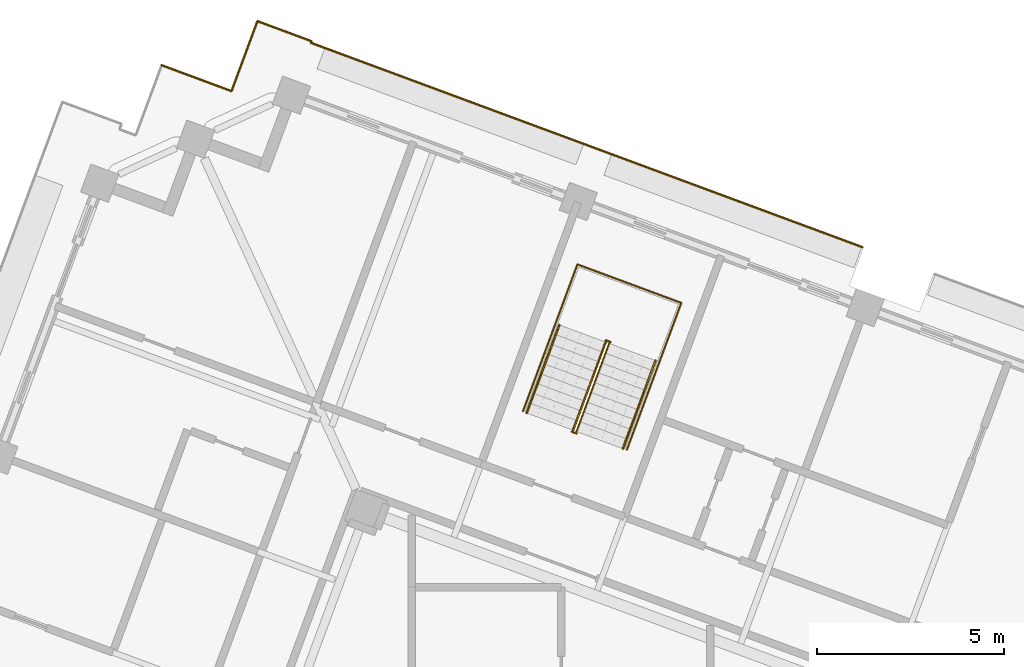
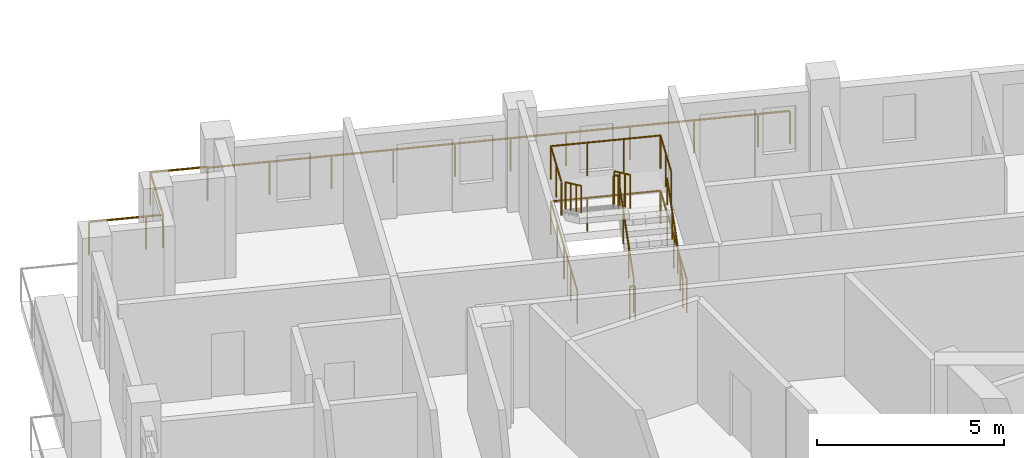
# One storey, part 17 of 19: 8 railings.
"""IFC4 building model written with IfcOpenShell, lengths in metres."""

from ifc_helpers import new_model, si_unit, direction, frame, origin, origin_2d, place, context, subcontext, project, spatial, circle, extrude, material, type_object, element, save


model = new_model("IFC4")

# Units and contexts
model_context = context("Model", 3, precision=1e-05, world=origin(), true_north=direction((0.0, 1.0)))
body_context = subcontext(model_context, "Body", "Model", "MODEL_VIEW")
ifc_project = project(units=[si_unit("LENGTHUNIT", "METRE"), si_unit("AREAUNIT", "SQUARE_METRE"), si_unit("VOLUMEUNIT", "CUBIC_METRE"), si_unit("PLANEANGLEUNIT", "RADIAN"), si_unit("MASSUNIT", "GRAM", prefix="KILO")], contexts=[model_context])

# Site, building, storey
site_placement = place(None, origin())
site = spatial("IfcSite", under=ifc_project, at=site_placement, CompositionType="ELEMENT")
building_placement = place(site_placement, origin())
building = spatial("IfcBuilding", under=site, at=building_placement, Name="Cantera Rosa Tower", CompositionType="ELEMENT")
storey_placement = place(building_placement, frame((0.0, 0.0, 331.300048828125)))
storey = spatial("IfcBuildingStorey", under=building, at=storey_placement, Name="L74", CompositionType="ELEMENT", Elevation=331.300048828125)

# Railings
ifc_material_1 = material(Name="Stainless steel and laminated glass", Category="steel")
railing_type_1 = type_object("IfcRailingType", Name="GUARD 1100", PredefinedType="BALUSTRADE", material=ifc_material_1)
railing_1_placement = place(storey_placement, frame((-10.71240234375, 28.49365234375, 0.0)))
element("IfcRailing", 1, at=railing_1_placement, inside=storey, type_object=railing_type_1, Name="GUARD L74-5", PredefinedType="BALUSTRADE", context=body_context, shape_type="SweptSolid", body=[
    extrude(circle(Radius=0.030029296875, at=origin_2d()), frame((0.0, 0.0, 1.070068359375), z_axis=(0.937691592306, -0.347468671564, 0.0), x_axis=(0.347468671564, 0.937691592306, 0.0)), (0.0, 0.0, 1.0), 1.5458984375),
    extrude(circle(Radius=0.030029296875, at=origin_2d()), frame((1.449462890625, -0.537109375, 1.070068359375), z_axis=(0.937625552155, -0.347646837962, 0.0), x_axis=(0.347646837962, 0.937625552155, 0.0)), (0.0, 0.0, 1.0), 0.454345703125),
    extrude(circle(Radius=0.030029296875, at=origin_2d()), frame((1.87548828125, -0.695068359375, 1.070068359375), z_axis=(0.347401818267, 0.937716362588, 0.0), x_axis=(-0.937716362588, 0.347401818267, 0.0)), (0.0, 0.0, 1.0), 2.0),
    extrude(circle(Radius=0.030029296875, at=origin_2d()), frame((2.5703125, 1.180419921875, 1.070068359375), z_axis=(0.937710656911, -0.347417218795, 0.0), x_axis=(0.347417218795, 0.937710656911, 0.0)), (0.0, 0.0, 1.0), 1.5458984375),
    extrude(circle(Radius=0.030029296875, at=origin_2d()), frame((4.02001953125, 0.643310546875, 1.070068359375), z_axis=(-0.351123441588, -0.936329177569, 0.0), x_axis=(0.936329177569, -0.351123441588, 0.0)), (0.0, 0.0, 1.0), 0.0458984375),
    extrude(circle(Radius=0.030029296875, at=origin_2d()), frame((4.00390625, 0.600341796875, 1.070068359375), z_axis=(0.937686328856, -0.347482875373, 0.0), x_axis=(0.347482875373, 0.937686328856, 0.0)), (0.0, 0.0, 1.0), 6.699951171875),
    extrude(circle(Radius=0.030029296875, at=origin_2d()), frame((10.286376953125, -1.727783203125, 1.070068359375), z_axis=(0.93768985062, -0.347473371704, 0.0), x_axis=(0.347473371704, 0.93768985062, 0.0)), (0.0, 0.0, 1.0), 3.000244140625),
    extrude(circle(Radius=0.030029296875, at=origin_2d()), frame((13.099609375, -2.770263671875, 1.070068359375), z_axis=(0.937688147358, -0.347477968085, 0.0), x_axis=(0.347477968085, 0.937688147358, 0.0)), (0.0, 0.0, 1.0), 5.199951171875),
    extrude(circle(Radius=0.030029296875, at=origin_2d()), frame((17.9755859375, -4.5771484375, 1.070068359375), z_axis=(0.937694580373, -0.347460607753, 0.0), x_axis=(0.347460607753, 0.937694580373, 0.0)), (0.0, 0.0, 1.0), 0.869873046875),
    extrude(circle(Radius=0.02490234375, at=origin_2d()), origin(), (0.0, 0.0, 1.0), 1.0400390625),
    extrude(circle(Radius=0.02490234375, at=origin_2d()), frame((1.449462890625, -0.537109375, 0.0)), (0.0, 0.0, 1.0), 1.0400390625),
    extrude(circle(Radius=0.02490234375, at=origin_2d()), frame((1.87548828125, -0.695068359375, 0.0)), (0.0, 0.0, 1.0), 1.0400390625),
    extrude(circle(Radius=0.02490234375, at=origin_2d()), frame((2.5703125, 1.180419921875, 0.0)), (0.0, 0.0, 1.0), 1.0400390625),
    extrude(circle(Radius=0.02490234375, at=origin_2d()), frame((4.02001953125, 0.643310546875, 0.0)), (0.0, 0.0, 1.0), 1.0400390625),
    extrude(circle(Radius=0.02490234375, at=origin_2d()), frame((4.00390625, 0.600341796875, 0.0)), (0.0, 0.0, 1.0), 1.0400390625),
    extrude(circle(Radius=0.02490234375, at=origin_2d()), frame((5.574462890625, 0.018310546875, 0.0)), (0.0, 0.0, 1.0), 1.0400390625),
    extrude(circle(Radius=0.02490234375, at=origin_2d()), frame((7.14501953125, -0.563720703125, 0.0)), (0.0, 0.0, 1.0), 1.0400390625),
    extrude(circle(Radius=0.02490234375, at=origin_2d()), frame((8.7158203125, -1.145751953125, 0.0)), (0.0, 0.0, 1.0), 1.0400390625),
    extrude(circle(Radius=0.02490234375, at=origin_2d()), frame((10.286376953125, -1.727783203125, 0.0)), (0.0, 0.0, 1.0), 1.0400390625),
    extrude(circle(Radius=0.02490234375, at=origin_2d()), frame((11.69287109375, -2.2490234375, 0.0)), (0.0, 0.0, 1.0), 1.0400390625),
    extrude(circle(Radius=0.02490234375, at=origin_2d()), frame((13.099609375, -2.770263671875, 0.0)), (0.0, 0.0, 1.0), 1.0400390625),
    extrude(circle(Radius=0.02490234375, at=origin_2d()), frame((14.724853515625, -3.37255859375, 0.0)), (0.0, 0.0, 1.0), 1.0400390625),
    extrude(circle(Radius=0.02490234375, at=origin_2d()), frame((16.350341796875, -3.974853515625, 0.0)), (0.0, 0.0, 1.0), 1.0400390625),
    extrude(circle(Radius=0.02490234375, at=origin_2d()), frame((17.9755859375, -4.5771484375, 0.0)), (0.0, 0.0, 1.0), 1.0400390625),
    extrude(circle(Radius=0.02490234375, at=origin_2d()), frame((18.791259765625, -4.87939453125, 0.0)), (0.0, 0.0, 1.0), 1.0400390625),
])
ifc_material_2 = material(Name="Steel S355J2 (EN 10025-2)", Category="steel")
railing_type_2 = type_object("IfcRailingType", Name="STAIR GUARD 1100", PredefinedType="GUARDRAIL", material=ifc_material_2)
railing_2_placement = place(storey_placement, frame((0.412109375, 18.670166015625, 0.179931640625)))
element("IfcRailing", 2, at=railing_2_placement, inside=storey, type_object=railing_type_2, Name="L74 ST-62 stair guard 1", PredefinedType="GUARDRAIL", context=body_context, shape_type="SweptSolid", body=[
    extrude(circle(Radius=0.02392578125, at=origin_2d()), frame((0.0, 0.0, 1.076171875), z_axis=(0.292306804437, 0.788747577403, 0.540771662738), x_axis=(-0.937679794265, 0.347500508527, 0.0)), (0.0, 0.0, 1.0), 2.995849609375),
    extrude(circle(Radius=0.02392578125, at=origin_2d()), frame((0.875732421875, 2.363037109375, 2.6962890625), z_axis=(0.740919573429, 0.671593765389, 0.0), x_axis=(-0.671593765389, 0.740919573429, 0.0)), (0.0, 0.0, 1.0), 0.056396484375),
    extrude(circle(Radius=0.02392578125, at=origin_2d()), frame((0.91748046875, 2.40087890625, 2.6962890625), z_axis=(-0.937925419525, 0.346837004095, 0.0), x_axis=(-0.346837004095, -0.937925419525, 0.0)), (0.0, 0.0, 1.0), 0.14990234375),
    extrude(circle(Radius=0.02099609375, at=origin_2d()), origin(), (0.0, 0.0, 1.0), 1.052001953125),
    extrude(circle(Radius=0.02099609375, at=origin_2d()), frame((0.2919921875, 0.78759765625, 0.5400390625)), (0.0, 0.0, 1.0), 1.052001953125),
    extrude(circle(Radius=0.02099609375, at=origin_2d()), frame((0.583740234375, 1.575439453125, 1.080078125)), (0.0, 0.0, 1.0), 1.052001953125),
    extrude(circle(Radius=0.02099609375, at=origin_2d()), frame((0.875732421875, 2.363037109375, 1.6201171875)), (0.0, 0.0, 1.0), 1.052001953125),
    extrude(circle(Radius=0.02099609375, at=origin_2d()), frame((0.91748046875, 2.40087890625, 1.6201171875)), (0.0, 0.0, 1.0), 1.052001953125),
    extrude(circle(Radius=0.02099609375, at=origin_2d()), frame((0.77685546875, 2.452880859375, 1.6201171875)), (0.0, 0.0, 1.0), 1.052001953125),
])
railing_3_placement = place(storey_placement, frame((1.196044921875, 21.067138671875, 1.97998046875)))
element("IfcRailing", 3, at=railing_3_placement, inside=storey, type_object=railing_type_2, Name="L74 ST-62 stair guard 2", PredefinedType="GUARDRAIL", context=body_context, shape_type="SweptSolid", body=[
    extrude(circle(Radius=0.02392578125, at=origin_2d()), frame((0.0, 0.0, 1.076171875), z_axis=(-0.292319685639, -0.78878233546, 0.540713998944), x_axis=(0.937679794265, -0.347500508527, 0.0)), (0.0, 0.0, 1.0), 2.995849609375),
    extrude(circle(Radius=0.02099609375, at=origin_2d()), origin(), (0.0, 0.0, 1.0), 1.052001953125),
    extrude(circle(Radius=0.02099609375, at=origin_2d()), frame((-0.2919921875, -0.78759765625, 0.5400390625)), (0.0, 0.0, 1.0), 1.052001953125),
    extrude(circle(Radius=0.02099609375, at=origin_2d()), frame((-0.583740234375, -1.575439453125, 1.079833984375)), (0.0, 0.0, 1.0), 1.052001953125),
    extrude(circle(Radius=0.02099609375, at=origin_2d()), frame((-0.875732421875, -2.363037109375, 1.619873046875)), (0.0, 0.0, 1.0), 1.052001953125),
])
railing_4_placement = place(storey_placement, frame((0.419189453125, 18.6142578125, 0.0)))
element("IfcRailing", 4, at=railing_4_placement, inside=storey, type_object=railing_type_2, Name="L74 ST-62 stair guard 3", PredefinedType="GUARDRAIL", context=body_context, shape_type="SweptSolid", body=[
    extrude(circle(Radius=0.02392578125, at=origin_2d()), frame((0.0, 0.0, 1.076171875), z_axis=(-0.937925419525, 0.346837004095, 0.0), x_axis=(-0.346837004095, -0.937925419525, 0.0)), (0.0, 0.0, 1.0), 0.14990234375),
    extrude(circle(Radius=0.02099609375, at=origin_2d()), origin(), (0.0, 0.0, 1.0), 1.052001953125),
    extrude(circle(Radius=0.02099609375, at=origin_2d()), frame((-0.140625, 0.052001953125, 0.0)), (0.0, 0.0, 1.0), 1.052001953125),
])
railing_5_placement = place(storey_placement, frame((1.762939453125, 18.182373046875, 0.0)))
element("IfcRailing", 5, at=railing_5_placement, inside=storey, type_object=railing_type_2, Name="L74 ST-62 stair guard 4", PredefinedType="GUARDRAIL", context=body_context, shape_type="SweptSolid", body=[
    extrude(circle(Radius=0.02392578125, at=origin_2d()), frame((0.0, 0.0, 1.076171875), z_axis=(0.347475346394, 0.937689118871, 0.0), x_axis=(-0.937689118871, 0.347475346394, 0.0)), (0.0, 0.0, 1.0), 4.197998046875),
    extrude(circle(Radius=0.02392578125, at=origin_2d()), frame((1.458740234375, 3.9365234375, 1.076171875), z_axis=(-0.937690243436, 0.347472311651, 0.0), x_axis=(-0.347472311651, -0.937690243436, 0.0)), (0.0, 0.0, 1.0), 2.969970703125),
    extrude(circle(Radius=0.02392578125, at=origin_2d()), frame((-1.326171875, 4.968505859375, 1.076171875), z_axis=(-0.347475346394, -0.937689118871, 0.0), x_axis=(0.937689118871, -0.347475346394, 0.0)), (0.0, 0.0, 1.0), 4.197998046875),
    extrude(circle(Radius=0.02099609375, at=origin_2d()), origin(), (0.0, 0.0, 1.0), 1.052001953125),
    extrude(circle(Radius=0.02099609375, at=origin_2d()), frame((0.36474609375, 0.984130859375, 0.0)), (0.0, 0.0, 1.0), 1.052001953125),
    extrude(circle(Radius=0.02099609375, at=origin_2d()), frame((0.7294921875, 1.96826171875, 0.0)), (0.0, 0.0, 1.0), 1.052001953125),
    extrude(circle(Radius=0.02099609375, at=origin_2d()), frame((1.093994140625, 2.952392578125, 0.0)), (0.0, 0.0, 1.0), 1.052001953125),
    extrude(circle(Radius=0.02099609375, at=origin_2d()), frame((1.458740234375, 3.9365234375, 0.0)), (0.0, 0.0, 1.0), 1.052001953125),
    extrude(circle(Radius=0.02099609375, at=origin_2d()), frame((0.530517578125, 4.280517578125, 0.0)), (0.0, 0.0, 1.0), 1.052001953125),
    extrude(circle(Radius=0.02099609375, at=origin_2d()), frame((-0.39794921875, 4.62451171875, 0.0)), (0.0, 0.0, 1.0), 1.052001953125),
    extrude(circle(Radius=0.02099609375, at=origin_2d()), frame((-1.326171875, 4.968505859375, 0.0)), (0.0, 0.0, 1.0), 1.052001953125),
    extrude(circle(Radius=0.02099609375, at=origin_2d()), frame((-1.69091796875, 3.984375, 0.0)), (0.0, 0.0, 1.0), 1.052001953125),
    extrude(circle(Radius=0.02099609375, at=origin_2d()), frame((-2.0556640625, 3.000244140625, 0.0)), (0.0, 0.0, 1.0), 1.052001953125),
    extrude(circle(Radius=0.02099609375, at=origin_2d()), frame((-2.420166015625, 2.01611328125, 0.0)), (0.0, 0.0, 1.0), 1.052001953125),
    extrude(circle(Radius=0.02099609375, at=origin_2d()), frame((-2.784912109375, 1.031982421875, 0.0)), (0.0, 0.0, 1.0), 1.052001953125),
])
railing_6_placement = place(storey_placement, frame((2.630126953125, 20.52294921875, 1.800048828125)))
element("IfcRailing", 6, at=railing_6_placement, inside=storey, type_object=railing_type_2, Name="L74 ST-62 stair guard 5", PredefinedType="GUARDRAIL", context=body_context, shape_type="SweptSolid", body=[
    extrude(circle(Radius=0.02392578125, at=origin_2d()), frame((0.0, 0.0, 1.076171875), z_axis=(0.347552602091, 0.937660486946, 0.0), x_axis=(-0.937660486946, 0.347552602091, 0.0)), (0.0, 0.0, 1.0), 1.7021484375),
    extrude(circle(Radius=0.02392578125, at=origin_2d()), frame((0.591552734375, 1.595947265625, 1.076171875), z_axis=(-0.937690243436, 0.347472311651, 0.0), x_axis=(-0.347472311651, -0.937690243436, 0.0)), (0.0, 0.0, 1.0), 2.969970703125),
    extrude(circle(Radius=0.02392578125, at=origin_2d()), frame((-2.193359375, 2.6279296875, 1.076171875), z_axis=(-0.347552602091, -0.937660486946, 0.0), x_axis=(0.937660486946, -0.347552602091, 0.0)), (0.0, 0.0, 1.0), 1.7021484375),
    extrude(circle(Radius=0.02099609375, at=origin_2d()), origin(), (0.0, 0.0, 1.0), 1.052001953125),
    extrude(circle(Radius=0.02099609375, at=origin_2d()), frame((0.2958984375, 0.7978515625, 0.0)), (0.0, 0.0, 1.0), 1.052001953125),
    extrude(circle(Radius=0.02099609375, at=origin_2d()), frame((0.591552734375, 1.595947265625, 0.0)), (0.0, 0.0, 1.0), 1.052001953125),
    extrude(circle(Radius=0.02099609375, at=origin_2d()), frame((-0.336669921875, 1.93994140625, 0.0)), (0.0, 0.0, 1.0), 1.052001953125),
    extrude(circle(Radius=0.02099609375, at=origin_2d()), frame((-1.26513671875, 2.283935546875, 0.0)), (0.0, 0.0, 1.0), 1.052001953125),
    extrude(circle(Radius=0.02099609375, at=origin_2d()), frame((-2.193359375, 2.6279296875, 0.0)), (0.0, 0.0, 1.0), 1.052001953125),
    extrude(circle(Radius=0.02099609375, at=origin_2d()), frame((-2.4892578125, 1.830078125, 0.0)), (0.0, 0.0, 1.0), 1.052001953125),
    extrude(circle(Radius=0.02099609375, at=origin_2d()), frame((-2.784912109375, 1.031982421875, 0.0)), (0.0, 0.0, 1.0), 1.052001953125),
])
ifc_material_3 = material(Name="Steel S355J2 (EN 10025-2)", Category="steel")
railing_type_3 = type_object("IfcRailingType", Name="STAIR HANDRAIL 900", PredefinedType="HANDRAIL", material=ifc_material_3)
railing_7_placement = place(storey_placement, frame((1.655517578125, 18.20947265625, 0.179931640625)))
element("IfcRailing", 7, at=railing_7_placement, inside=storey, type_object=railing_type_3, Name="L74 ST-62 stair handrail 1", PredefinedType="HANDRAIL", context=body_context, shape_type="SweptSolid", body=[
    extrude(circle(Radius=0.02392578125, at=origin_2d()), frame((0.0, 0.0, 0.8759765625), z_axis=(0.292325593449, 0.788716780987, 0.540806422673), x_axis=(-0.937668094043, 0.347532078253, 0.0)), (0.0, 0.0, 1.0), 2.995849609375),
    extrude(circle(Radius=0.02099609375, at=origin_2d()), origin(), (0.0, 0.0, 1.0), 0.851806640625),
    extrude(circle(Radius=0.02099609375, at=origin_2d()), frame((0.2919921875, 0.78759765625, 0.5400390625)), (0.0, 0.0, 1.0), 0.851806640625),
    extrude(circle(Radius=0.02099609375, at=origin_2d()), frame((0.583740234375, 1.5751953125, 1.080078125)), (0.0, 0.0, 1.0), 0.851806640625),
    extrude(circle(Radius=0.02099609375, at=origin_2d()), frame((0.875732421875, 2.36279296875, 1.6201171875)), (0.0, 0.0, 1.0), 0.851806640625),
])
railing_8_placement = place(storey_placement, frame((-0.04736328125, 21.52783203125, 1.97998046875)))
element("IfcRailing", 8, at=railing_8_placement, inside=storey, type_object=railing_type_3, Name="L74 ST-62 stair handrail 2", PredefinedType="HANDRAIL", context=body_context, shape_type="SweptSolid", body=[
    extrude(circle(Radius=0.02392578125, at=origin_2d()), frame((0.0, 0.0, 0.8759765625), z_axis=(-0.292338477135, -0.788751542156, 0.540748758236), x_axis=(0.937668094043, -0.347532078253, 0.0)), (0.0, 0.0, 1.0), 2.99560546875),
    extrude(circle(Radius=0.02099609375, at=origin_2d()), origin(), (0.0, 0.0, 1.0), 0.851806640625),
    extrude(circle(Radius=0.02099609375, at=origin_2d()), frame((-0.2919921875, -0.78759765625, 0.5400390625)), (0.0, 0.0, 1.0), 0.851806640625),
    extrude(circle(Radius=0.02099609375, at=origin_2d()), frame((-0.583740234375, -1.5751953125, 1.079833984375)), (0.0, 0.0, 1.0), 0.851806640625),
    extrude(circle(Radius=0.02099609375, at=origin_2d()), frame((-0.875732421875, -2.36279296875, 1.619873046875)), (0.0, 0.0, 1.0), 0.851806640625),
])

save(model, "model.ifc")
